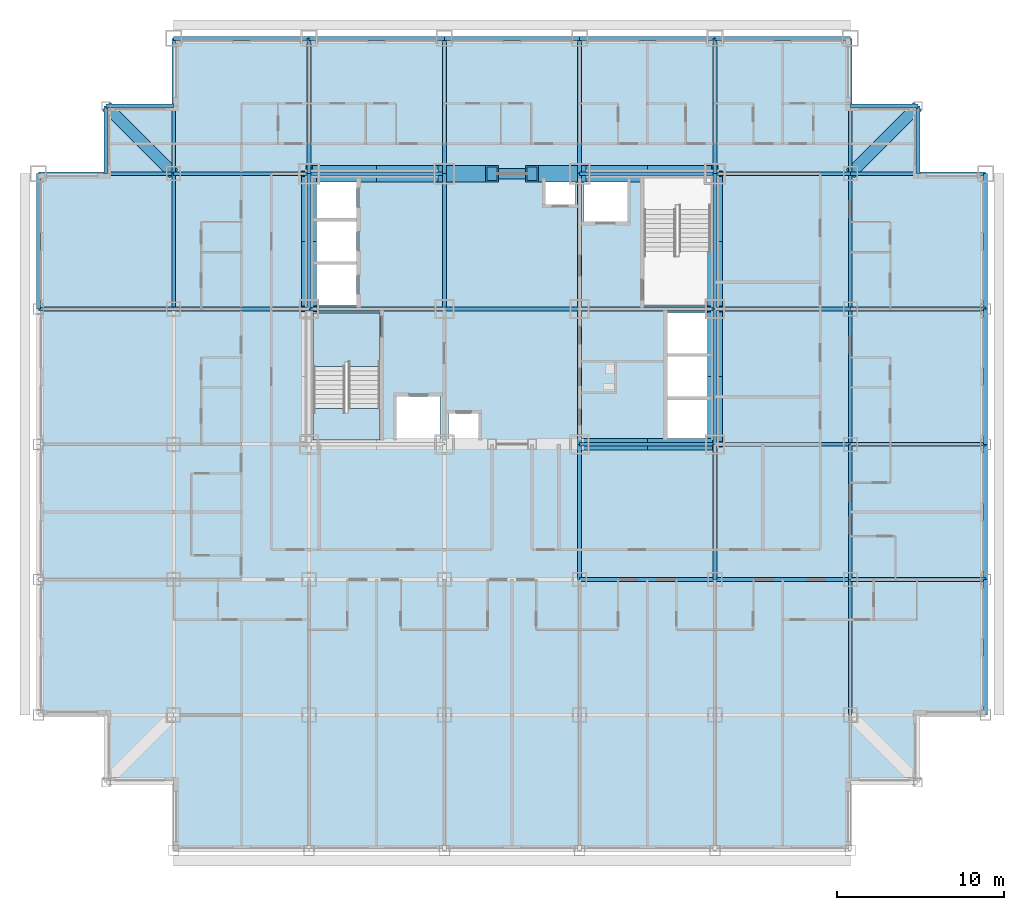
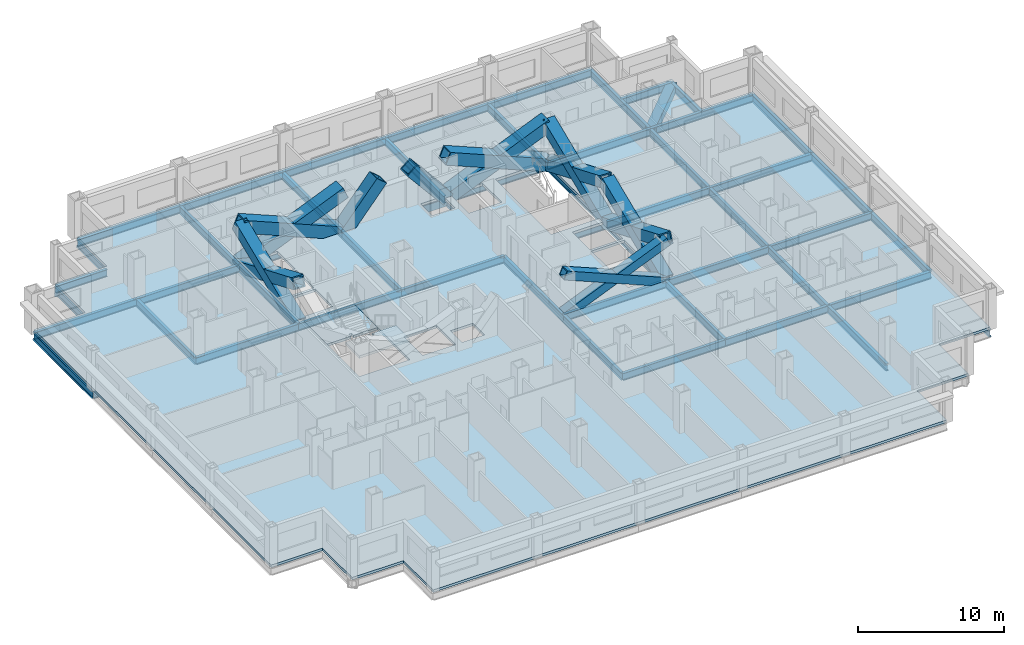
# One storey, part 2 of 12: 55 beams, 14 members, 3 slabs, 1 element without a shape of its own.
"""IFC4 building model written with IfcOpenShell, lengths in metres."""

from ifc_helpers import new_model, si_unit, direction, frame, origin, origin_2d, place, context, subcontext, project, spatial, polyline, hollow_rectangle, i_section, outline, extrude, material, layer, layer_set, material_profile, profile_set, type_object, element, aggregate, save


model = new_model("IFC4")

# Units and contexts
model_context = context("Model", 3, precision=1e-05, world=origin(), true_north=direction((0.0, 1.0)))
body_context = subcontext(model_context, "Body", "Model", "MODEL_VIEW")
ifc_project = project(units=[si_unit("LENGTHUNIT", "METRE"), si_unit("AREAUNIT", "SQUARE_METRE"), si_unit("VOLUMEUNIT", "CUBIC_METRE"), si_unit("PLANEANGLEUNIT", "RADIAN"), si_unit("MASSUNIT", "GRAM", prefix="KILO")], contexts=[model_context])

# Site, building, storey
site_placement = place(None, origin())
site = spatial("IfcSite", under=ifc_project, at=site_placement, CompositionType="ELEMENT")
building_placement = place(site_placement, origin())
building = spatial("IfcBuilding", under=site, at=building_placement, Name="Kopane Lantern Tower", CompositionType="ELEMENT")
storey_placement = place(building_placement, frame((0.0, 0.0, 77.199951171875)))
storey = spatial("IfcBuildingStorey", under=building, at=storey_placement, Name="L19", CompositionType="ELEMENT", Elevation=77.199951171875)

# Members
ifc_material_1 = material(Name="Steel S355JR", Category="steel")
ifc_material_profile_1 = material_profile(ifc_material_1, hollow_rectangle(XDim=1.0, YDim=1.0, WallThickness=0.10009765625, at=origin_2d()), Name="BOX 1000x1000x100")
ifc_profile_set_1 = profile_set([ifc_material_profile_1], Name="Steel S355JR")
member_type_1 = type_object("IfcMemberType", Name="BRACE BOX 1000x1000x100", PredefinedType="BRACE", material=ifc_profile_set_1)
for number, where, z_axis, x_axis, name in (
    (1, (16.199951171875, 40.5, -0.2099609375), (0.922069000757, 0.0, 0.387025526088), (0.0, 1.0, 0.0), "Core brace L19"),
    (2, (24.300048828125, 40.5, -0.2099609375), (-0.922069000757, 0.0, 0.387025526088), (0.0, -1.0, 0.0), "Core brace L19"),
):
    element("IfcMember", number, at=place(storey_placement, frame(where, z_axis=z_axis, x_axis=x_axis)), inside=storey, type_object=member_type_1, Name=name, PredefinedType="BRACE", context=body_context, shape_type="SweptSolid", body=[
        extrude(hollow_rectangle(XDim=1.0, YDim=1.0, WallThickness=0.10009765625, at=origin_2d()), origin(), (0.0, 0.0, 1.0), 8.78466796875),
    ])
for number, where, z_axis, x_axis, name in (
    (3, (24.300048828125, 40.5, -0.2099609375), (0.642390257445, 0.0, 0.7663776857), (0.0, 1.0, 0.0), "Core brace L19"),
    (4, (32.39990234375, 40.5, -0.2099609375), (-0.642390257445, 0.0, 0.7663776857), (0.0, -1.0, 0.0), "Core brace L19"),
):
    element("IfcMember", number, at=place(storey_placement, frame(where, z_axis=z_axis, x_axis=x_axis)), inside=storey, type_object=member_type_1, Name=name, PredefinedType="BRACE", context=body_context, shape_type="SweptSolid", body=[
        extrude(hollow_rectangle(XDim=1.0, YDim=1.0, WallThickness=0.10009765625, at=origin_2d()), origin(), (0.0, 0.0, 1.0), 4.436279296875),
    ])
for number, where, z_axis, x_axis, name in (
    (5, (32.39990234375, 40.5, -0.2099609375), (0.922069000757, 0.0, 0.387025526088), (0.0, 1.0, 0.0), "Core brace L19"),
    (6, (40.5, 40.5, -0.2099609375), (-0.922069000757, 0.0, 0.387025526088), (0.0, -1.0, 0.0), "Core brace L19"),
):
    element("IfcMember", number, at=place(storey_placement, frame(where, z_axis=z_axis, x_axis=x_axis)), inside=storey, type_object=member_type_1, Name=name, PredefinedType="BRACE", context=body_context, shape_type="SweptSolid", body=[
        extrude(hollow_rectangle(XDim=1.0, YDim=1.0, WallThickness=0.10009765625, at=origin_2d()), origin(), (0.0, 0.0, 1.0), 8.78466796875),
    ])
ifc_material_2 = material(Name="Steel S355JR", Category="steel")
ifc_material_profile_2 = material_profile(ifc_material_2, hollow_rectangle(XDim=0.699951171875, YDim=0.699951171875, WallThickness=0.06005859375, at=origin_2d()), Name="BOX 700x700x60")
ifc_profile_set_2 = profile_set([ifc_material_profile_2], Name="Steel S355JR")
member_type_2 = type_object("IfcMemberType", Name="BRACE BOX 700x700x60", PredefinedType="BRACE", material=ifc_profile_set_2)
for number, where, z_axis, x_axis, name in (
    (7, (32.39990234375, 24.300048828125, -0.2099609375), (0.922069000757, 0.0, 0.387025526088), (0.0, 1.0, 0.0), "Core brace L19"),
    (8, (40.5, 24.300048828125, -0.2099609375), (-0.922069000757, 0.0, 0.387025526088), (0.0, -1.0, 0.0), "Core brace L19"),
):
    element("IfcMember", number, at=place(storey_placement, frame(where, z_axis=z_axis, x_axis=x_axis)), inside=storey, type_object=member_type_2, Name=name, PredefinedType="BRACE", context=body_context, shape_type="SweptSolid", body=[
        extrude(hollow_rectangle(XDim=0.699951171875, YDim=0.699951171875, WallThickness=0.06005859375, at=origin_2d()), origin(), (0.0, 0.0, 1.0), 8.78466796875),
    ])
ifc_material_3 = material(Name="Steel S355JR", Category="steel")
ifc_material_profile_3 = material_profile(ifc_material_3, hollow_rectangle(XDim=0.89990234375, YDim=0.89990234375, WallThickness=0.090087890625, at=origin_2d()), Name="BOX 900x900x90")
ifc_profile_set_3 = profile_set([ifc_material_profile_3], Name="Steel S355JR")
member_type_3 = type_object("IfcMemberType", Name="BRACE BOX 900x900x90", PredefinedType="BRACE", material=ifc_profile_set_3)
for number, where, z_axis, x_axis, name in (
    (9, (16.199951171875, 32.39990234375, -0.2099609375), (0.0, 0.922069000757, 0.387025526088), (-1.0, 0.0, 0.0), "Core brace L19"),
    (10, (16.199951171875, 40.5, -0.2099609375), (0.0, -0.922069000757, 0.387025526088), (1.0, 0.0, 0.0), "Core brace L19"),
):
    element("IfcMember", number, at=place(storey_placement, frame(where, z_axis=z_axis, x_axis=x_axis)), inside=storey, type_object=member_type_3, Name=name, PredefinedType="BRACE", context=body_context, shape_type="SweptSolid", body=[
        extrude(hollow_rectangle(XDim=0.89990234375, YDim=0.89990234375, WallThickness=0.090087890625, at=origin_2d()), origin(), (0.0, 0.0, 1.0), 8.78466796875),
    ])
for number, where, z_axis, x_axis, name in (
    (11, (40.5, 24.300048828125, -0.2099609375), (0.0, 0.922064837731, 0.38703544414), (-1.0, 0.0, 0.0), "Core brace L19"),
    (12, (40.5, 32.39990234375, -0.2099609375), (0.0, -0.922064837731, 0.38703544414), (1.0, 0.0, 0.0), "Core brace L19"),
):
    element("IfcMember", number, at=place(storey_placement, frame(where, z_axis=z_axis, x_axis=x_axis)), inside=storey, type_object=member_type_3, Name=name, PredefinedType="BRACE", context=body_context, shape_type="SweptSolid", body=[
        extrude(hollow_rectangle(XDim=0.89990234375, YDim=0.89990234375, WallThickness=0.090087890625, at=origin_2d()), origin(), (0.0, 0.0, 1.0), 8.784423828125),
    ])
for number, where, z_axis, x_axis, name in (
    (13, (40.5, 32.39990234375, -0.2099609375), (0.0, 0.922069000757, 0.387025526088), (-1.0, 0.0, 0.0), "Core brace L19"),
    (14, (40.5, 40.5, -0.2099609375), (0.0, -0.922069000757, 0.387025526088), (1.0, 0.0, 0.0), "Core brace L19"),
):
    element("IfcMember", number, at=place(storey_placement, frame(where, z_axis=z_axis, x_axis=x_axis)), inside=storey, type_object=member_type_3, Name=name, PredefinedType="BRACE", context=body_context, shape_type="SweptSolid", body=[
        extrude(hollow_rectangle(XDim=0.89990234375, YDim=0.89990234375, WallThickness=0.090087890625, at=origin_2d()), origin(), (0.0, 0.0, 1.0), 8.78466796875),
    ])

# Beams
ifc_material_4 = material(Name="Steel S355JR", Category="steel")
ifc_material_profile_4 = material_profile(ifc_material_4, i_section(OverallWidth=0.22900390625, OverallDepth=0.6123046875, WebThickness=0.011962890625, FlangeThickness=0.01953125, FilletRadius=0.0126953125, at=origin_2d()), Name="UB 610x229x125")
ifc_profile_set_4 = profile_set([ifc_material_profile_4], Name="Steel S355JR")
beam_type_1 = type_object("IfcBeamType", Name="CORE BEAM UB 610x229x125", PredefinedType="BEAM", material=ifc_profile_set_4)
for number, where, z_axis, x_axis, name in (
    (15, (16.199951171875, 32.39990234375, -0.51611328125), (1.0, 0.0, 0.0), (0.0, 1.0, 0.0), "Core Beam L19"),
    (16, (24.300048828125, 32.39990234375, -0.51611328125), (0.0, 1.0, 0.0), (-1.0, 0.0, 0.0), "Core Beam L19"),
):
    element("IfcBeam", number, at=place(storey_placement, frame(where, z_axis=z_axis, x_axis=x_axis)), inside=storey, type_object=beam_type_1, Name=name, PredefinedType="BEAM", context=body_context, shape_type="SweptSolid", body=[
        extrude(i_section(OverallWidth=0.22900390625, OverallDepth=0.6123046875, WebThickness=0.011962890625, FlangeThickness=0.01953125, FilletRadius=0.0126953125, at=origin_2d()), origin(), (0.0, 0.0, 1.0), 8.10009765625),
    ])
for number, where, z_axis, x_axis, name in (
    (17, (24.300048828125, 32.39990234375, -0.51611328125), (1.0, 0.0, 0.0), (0.0, 1.0, 0.0), "Core Beam L19"),
    (18, (32.39990234375, 24.300048828125, -0.51611328125), (0.0, 1.0, 0.0), (-1.0, 0.0, 0.0), "Core Beam L19"),
):
    element("IfcBeam", number, at=place(storey_placement, frame(where, z_axis=z_axis, x_axis=x_axis)), inside=storey, type_object=beam_type_1, Name=name, PredefinedType="BEAM", context=body_context, shape_type="SweptSolid", body=[
        extrude(i_section(OverallWidth=0.22900390625, OverallDepth=0.6123046875, WebThickness=0.011962890625, FlangeThickness=0.01953125, FilletRadius=0.0126953125, at=origin_2d()), origin(), (0.0, 0.0, 1.0), 8.099853515625),
    ])
for number, where, z_axis, x_axis, name in (
    (19, (32.39990234375, 32.39990234375, -0.51611328125), (0.0, 1.0, 0.0), (-1.0, 0.0, 0.0), "Core Beam L19"),
    (20, (32.39990234375, 32.39990234375, -0.51611328125), (1.0, 0.0, 0.0), (0.0, 1.0, 0.0), "Core Beam L19"),
):
    element("IfcBeam", number, at=place(storey_placement, frame(where, z_axis=z_axis, x_axis=x_axis)), inside=storey, type_object=beam_type_1, Name=name, PredefinedType="BEAM", context=body_context, shape_type="SweptSolid", body=[
        extrude(i_section(OverallWidth=0.22900390625, OverallDepth=0.6123046875, WebThickness=0.011962890625, FlangeThickness=0.01953125, FilletRadius=0.0126953125, at=origin_2d()), origin(), (0.0, 0.0, 1.0), 8.10009765625),
    ])
ifc_material_5 = material(Name="Steel S355JR", Category="steel")
ifc_material_profile_5 = material_profile(ifc_material_5, hollow_rectangle(XDim=0.699951171875, YDim=0.699951171875, WallThickness=0.06005859375, at=origin_2d()), Name="BOX 700x700x60")
ifc_profile_set_5 = profile_set([ifc_material_profile_5], Name="Steel S355JR")
beam_type_2 = type_object("IfcBeamType", Name="CORNER TIE BEAM BOX 700x700x60", PredefinedType="BEAM", material=ifc_profile_set_5)
for number, where, z_axis, x_axis, name in (
    (21, (4.050048828125, 44.550048828125, -0.56005859375), (0.707106781187, -0.707106781187, 0.0), (0.707106781187, 0.707106781187, 0.0), "Corner Tie Beam L19"),
    (22, (52.64990234375, 44.550048828125, -0.56005859375), (-0.707085467703, -0.707128094028, 0.0), (0.707128094028, -0.707085467703, 0.0), "Corner Tie Beam L19"),
):
    element("IfcBeam", number, at=place(storey_placement, frame(where, z_axis=z_axis, x_axis=x_axis)), inside=storey, type_object=beam_type_2, Name=name, PredefinedType="BEAM", context=body_context, shape_type="SweptSolid", body=[
        extrude(hollow_rectangle(XDim=0.699951171875, YDim=0.699951171875, WallThickness=0.06005859375, at=origin_2d()), origin(), (0.0, 0.0, 1.0), 5.7275390625),
    ])
ifc_material_6 = material(Name="Steel S355JR", Category="steel")
ifc_material_profile_6 = material_profile(ifc_material_6, i_section(OverallWidth=0.22900390625, OverallDepth=0.6123046875, WebThickness=0.011962890625, FlangeThickness=0.01953125, FilletRadius=0.0126953125, at=origin_2d()), Name="UB 610x229x125")
ifc_profile_set_6 = profile_set([ifc_material_profile_6], Name="Steel S355JR")
beam_type_3 = type_object("IfcBeamType", Name="EDGE BEAM UB 610x229x125", PredefinedType="BEAM", material=ifc_profile_set_6)
for number, where, z_axis, x_axis, name in (
    (23, (4.050048828125, 44.550048828125, -0.51611328125), (0.0, -1.0, 0.0), (1.0, 0.0, 0.0), "Edge Beam L19"),
    (24, (4.050048828125, 44.550048828125, -0.51611328125), (1.0, 0.0, 0.0), (0.0, 1.0, 0.0), "Edge Beam L19"),
):
    element("IfcBeam", number, at=place(storey_placement, frame(where, z_axis=z_axis, x_axis=x_axis)), inside=storey, type_object=beam_type_3, Name=name, PredefinedType="BEAM", context=body_context, shape_type="SweptSolid", body=[
        extrude(i_section(OverallWidth=0.22900390625, OverallDepth=0.6123046875, WebThickness=0.011962890625, FlangeThickness=0.01953125, FilletRadius=0.0126953125, at=origin_2d()), origin(), (0.0, 0.0, 1.0), 4.050048828125),
    ])
beam_1_placement = place(storey_placement, frame((52.64990234375, 44.550048828125, -0.51611328125), z_axis=(-1.0, 0.0, 0.0), x_axis=(0.0, -1.0, 0.0)))
element("IfcBeam", 25, at=beam_1_placement, inside=storey, type_object=beam_type_3, Name="Edge Beam L19", PredefinedType="BEAM", context=body_context, shape_type="SweptSolid", body=[
    extrude(i_section(OverallWidth=0.22900390625, OverallDepth=0.6123046875, WebThickness=0.011962890625, FlangeThickness=0.01953125, FilletRadius=0.0126953125, at=origin_2d()), origin(), (0.0, 0.0, 1.0), 4.0498046875),
])
beam_2_placement = place(storey_placement, frame((52.64990234375, 44.550048828125, -0.51611328125), z_axis=(0.0, -1.0, 0.0), x_axis=(1.0, 0.0, 0.0)))
element("IfcBeam", 26, at=beam_2_placement, inside=storey, type_object=beam_type_3, Name="Edge Beam L19", PredefinedType="BEAM", context=body_context, shape_type="SweptSolid", body=[
    extrude(i_section(OverallWidth=0.22900390625, OverallDepth=0.6123046875, WebThickness=0.011962890625, FlangeThickness=0.01953125, FilletRadius=0.0126953125, at=origin_2d()), origin(), (0.0, 0.0, 1.0), 4.050048828125),
])
ifc_material_7 = material(Name="Steel S355JR", Category="steel")
ifc_material_profile_7 = material_profile(ifc_material_7, i_section(OverallWidth=0.22900390625, OverallDepth=0.6123046875, WebThickness=0.011962890625, FlangeThickness=0.01953125, FilletRadius=0.0126953125, at=origin_2d()), Name="UB 610x229x125")
ifc_profile_set_7 = profile_set([ifc_material_profile_7], Name="Steel S355JR")
beam_type_4 = type_object("IfcBeamType", Name="GIRDER UB 610x229x125", PredefinedType="BEAM", material=ifc_profile_set_7)
for number, where, z_axis, x_axis, name in (
    (27, (0.0, 32.39990234375, -0.51611328125), (0.0, 1.0, 0.0), (-1.0, 0.0, 0.0), "Girder L19"),
    (28, (0.0, 32.39990234375, -0.51611328125), (1.0, 0.0, 0.0), (0.0, 1.0, 0.0), "Girder L19"),
    (29, (0.0, 40.5, -0.51611328125), (1.0, 0.0, 0.0), (0.0, 1.0, 0.0), "Girder L19"),
    (30, (8.10009765625, 32.39990234375, -0.51611328125), (0.0, 1.0, 0.0), (-1.0, 0.0, 0.0), "Girder L19"),
):
    element("IfcBeam", number, at=place(storey_placement, frame(where, z_axis=z_axis, x_axis=x_axis)), inside=storey, type_object=beam_type_4, Name=name, PredefinedType="BEAM", context=body_context, shape_type="SweptSolid", body=[
        extrude(i_section(OverallWidth=0.22900390625, OverallDepth=0.6123046875, WebThickness=0.011962890625, FlangeThickness=0.01953125, FilletRadius=0.0126953125, at=origin_2d()), origin(), (0.0, 0.0, 1.0), 8.10009765625),
    ])
beam_3_placement = place(storey_placement, frame((8.10009765625, 32.39990234375, -0.51611328125), z_axis=(1.0, 0.0, 0.0), x_axis=(0.0, 1.0, 0.0)))
element("IfcBeam", 31, at=beam_3_placement, inside=storey, type_object=beam_type_4, Name="Girder L19", PredefinedType="BEAM", context=body_context, shape_type="SweptSolid", body=[
    extrude(i_section(OverallWidth=0.22900390625, OverallDepth=0.6123046875, WebThickness=0.011962890625, FlangeThickness=0.01953125, FilletRadius=0.0126953125, at=origin_2d()), origin(), (0.0, 0.0, 1.0), 8.099853515625),
])
beam_4_placement = place(storey_placement, frame((8.10009765625, 40.5, -0.51611328125), z_axis=(0.0, 1.0, 0.0), x_axis=(-1.0, 0.0, 0.0)))
element("IfcBeam", 32, at=beam_4_placement, inside=storey, type_object=beam_type_4, Name="Girder L19", PredefinedType="BEAM", context=body_context, shape_type="SweptSolid", body=[
    extrude(i_section(OverallWidth=0.22900390625, OverallDepth=0.6123046875, WebThickness=0.011962890625, FlangeThickness=0.01953125, FilletRadius=0.0126953125, at=origin_2d()), origin(), (0.0, 0.0, 1.0), 8.10009765625),
])
for number, where, z_axis, x_axis, name in (
    (33, (8.10009765625, 40.5, -0.51611328125), (1.0, 0.0, 0.0), (0.0, 1.0, 0.0), "Girder L19"),
    (34, (8.10009765625, 48.60009765625, -0.51611328125), (1.0, 0.0, 0.0), (0.0, 1.0, 0.0), "Girder L19"),
):
    element("IfcBeam", number, at=place(storey_placement, frame(where, z_axis=z_axis, x_axis=x_axis)), inside=storey, type_object=beam_type_4, Name=name, PredefinedType="BEAM", context=body_context, shape_type="SweptSolid", body=[
        extrude(i_section(OverallWidth=0.22900390625, OverallDepth=0.6123046875, WebThickness=0.011962890625, FlangeThickness=0.01953125, FilletRadius=0.0126953125, at=origin_2d()), origin(), (0.0, 0.0, 1.0), 8.099853515625),
    ])
for number, where, z_axis, x_axis, name in (
    (35, (16.199951171875, 32.39990234375, -0.51611328125), (0.0, 1.0, 0.0), (-1.0, 0.0, 0.0), "Girder L19"),
    (36, (16.199951171875, 40.5, -0.51611328125), (0.0, 1.0, 0.0), (-1.0, 0.0, 0.0), "Girder L19"),
    (37, (16.199951171875, 40.5, -0.51611328125), (1.0, 0.0, 0.0), (0.0, 1.0, 0.0), "Girder L19"),
    (38, (16.199951171875, 48.60009765625, -0.51611328125), (1.0, 0.0, 0.0), (0.0, 1.0, 0.0), "Girder L19"),
    (39, (24.300048828125, 40.5, -0.51611328125), (0.0, 1.0, 0.0), (-1.0, 0.0, 0.0), "Girder L19"),
):
    element("IfcBeam", number, at=place(storey_placement, frame(where, z_axis=z_axis, x_axis=x_axis)), inside=storey, type_object=beam_type_4, Name=name, PredefinedType="BEAM", context=body_context, shape_type="SweptSolid", body=[
        extrude(i_section(OverallWidth=0.22900390625, OverallDepth=0.6123046875, WebThickness=0.011962890625, FlangeThickness=0.01953125, FilletRadius=0.0126953125, at=origin_2d()), origin(), (0.0, 0.0, 1.0), 8.10009765625),
    ])
beam_5_placement = place(storey_placement, frame((24.300048828125, 48.60009765625, -0.51611328125), z_axis=(1.0, 0.0, 0.0), x_axis=(0.0, 1.0, 0.0)))
element("IfcBeam", 40, at=beam_5_placement, inside=storey, type_object=beam_type_4, Name="Girder L19", PredefinedType="BEAM", context=body_context, shape_type="SweptSolid", body=[
    extrude(i_section(OverallWidth=0.22900390625, OverallDepth=0.6123046875, WebThickness=0.011962890625, FlangeThickness=0.01953125, FilletRadius=0.0126953125, at=origin_2d()), origin(), (0.0, 0.0, 1.0), 8.099853515625),
])
for number, where, z_axis, x_axis, name in (
    (41, (32.39990234375, 16.199951171875, -0.51611328125), (0.0, 1.0, 0.0), (-1.0, 0.0, 0.0), "Girder L19"),
    (42, (32.39990234375, 16.199951171875, -0.51611328125), (1.0, 0.0, 0.0), (0.0, 1.0, 0.0), "Girder L19"),
    (43, (32.39990234375, 24.300048828125, -0.51611328125), (1.0, 0.0, 0.0), (0.0, 1.0, 0.0), "Girder L19"),
    (44, (32.39990234375, 40.5, -0.51611328125), (0.0, 1.0, 0.0), (-1.0, 0.0, 0.0), "Girder L19"),
    (45, (32.39990234375, 40.5, -0.51611328125), (1.0, 0.0, 0.0), (0.0, 1.0, 0.0), "Girder L19"),
    (46, (32.39990234375, 48.60009765625, -0.51611328125), (1.0, 0.0, 0.0), (0.0, 1.0, 0.0), "Girder L19"),
    (47, (40.5, 16.199951171875, -0.51611328125), (0.0, 1.0, 0.0), (-1.0, 0.0, 0.0), "Girder L19"),
    (48, (40.5, 16.199951171875, -0.51611328125), (1.0, 0.0, 0.0), (0.0, 1.0, 0.0), "Girder L19"),
):
    element("IfcBeam", number, at=place(storey_placement, frame(where, z_axis=z_axis, x_axis=x_axis)), inside=storey, type_object=beam_type_4, Name=name, PredefinedType="BEAM", context=body_context, shape_type="SweptSolid", body=[
        extrude(i_section(OverallWidth=0.22900390625, OverallDepth=0.6123046875, WebThickness=0.011962890625, FlangeThickness=0.01953125, FilletRadius=0.0126953125, at=origin_2d()), origin(), (0.0, 0.0, 1.0), 8.10009765625),
    ])
beam_6_placement = place(storey_placement, frame((40.5, 24.300048828125, -0.51611328125), z_axis=(0.0, 1.0, 0.0), x_axis=(-1.0, 0.0, 0.0)))
element("IfcBeam", 49, at=beam_6_placement, inside=storey, type_object=beam_type_4, Name="Girder L19", PredefinedType="BEAM", context=body_context, shape_type="SweptSolid", body=[
    extrude(i_section(OverallWidth=0.22900390625, OverallDepth=0.6123046875, WebThickness=0.011962890625, FlangeThickness=0.01953125, FilletRadius=0.0126953125, at=origin_2d()), origin(), (0.0, 0.0, 1.0), 8.099853515625),
])
for number, where, z_axis, x_axis, name in (
    (50, (40.5, 24.300048828125, -0.51611328125), (1.0, 0.0, 0.0), (0.0, 1.0, 0.0), "Girder L19"),
    (51, (40.5, 32.39990234375, -0.51611328125), (0.0, 1.0, 0.0), (-1.0, 0.0, 0.0), "Girder L19"),
    (52, (40.5, 32.39990234375, -0.51611328125), (1.0, 0.0, 0.0), (0.0, 1.0, 0.0), "Girder L19"),
    (53, (40.5, 40.5, -0.51611328125), (0.0, 1.0, 0.0), (-1.0, 0.0, 0.0), "Girder L19"),
    (54, (40.5, 40.5, -0.51611328125), (1.0, 0.0, 0.0), (0.0, 1.0, 0.0), "Girder L19"),
    (55, (40.5, 48.60009765625, -0.51611328125), (1.0, 0.0, 0.0), (0.0, 1.0, 0.0), "Girder L19"),
):
    element("IfcBeam", number, at=place(storey_placement, frame(where, z_axis=z_axis, x_axis=x_axis)), inside=storey, type_object=beam_type_4, Name=name, PredefinedType="BEAM", context=body_context, shape_type="SweptSolid", body=[
        extrude(i_section(OverallWidth=0.22900390625, OverallDepth=0.6123046875, WebThickness=0.011962890625, FlangeThickness=0.01953125, FilletRadius=0.0126953125, at=origin_2d()), origin(), (0.0, 0.0, 1.0), 8.10009765625),
    ])
beam_7_placement = place(storey_placement, frame((48.60009765625, 8.10009765625, -0.51611328125), z_axis=(0.0, 1.0, 0.0), x_axis=(-1.0, 0.0, 0.0)))
element("IfcBeam", 56, at=beam_7_placement, inside=storey, type_object=beam_type_4, Name="Girder L19", PredefinedType="BEAM", context=body_context, shape_type="SweptSolid", body=[
    extrude(i_section(OverallWidth=0.22900390625, OverallDepth=0.6123046875, WebThickness=0.011962890625, FlangeThickness=0.01953125, FilletRadius=0.0126953125, at=origin_2d()), origin(), (0.0, 0.0, 1.0), 8.099853515625),
])
beam_8_placement = place(storey_placement, frame((48.60009765625, 16.199951171875, -0.51611328125), z_axis=(0.0, 1.0, 0.0), x_axis=(-1.0, 0.0, 0.0)))
element("IfcBeam", 57, at=beam_8_placement, inside=storey, type_object=beam_type_4, Name="Girder L19", PredefinedType="BEAM", context=body_context, shape_type="SweptSolid", body=[
    extrude(i_section(OverallWidth=0.22900390625, OverallDepth=0.6123046875, WebThickness=0.011962890625, FlangeThickness=0.01953125, FilletRadius=0.0126953125, at=origin_2d()), origin(), (0.0, 0.0, 1.0), 8.10009765625),
])
for number, where, z_axis, x_axis, name in (
    (58, (48.60009765625, 16.199951171875, -0.51611328125), (1.0, 0.0, 0.0), (0.0, 1.0, 0.0), "Girder L19"),
    (59, (48.60009765625, 24.300048828125, -0.51611328125), (0.0, 1.0, 0.0), (-1.0, 0.0, 0.0), "Girder L19"),
    (60, (48.60009765625, 24.300048828125, -0.51611328125), (1.0, 0.0, 0.0), (0.0, 1.0, 0.0), "Girder L19"),
):
    element("IfcBeam", number, at=place(storey_placement, frame(where, z_axis=z_axis, x_axis=x_axis)), inside=storey, type_object=beam_type_4, Name=name, PredefinedType="BEAM", context=body_context, shape_type="SweptSolid", body=[
        extrude(i_section(OverallWidth=0.22900390625, OverallDepth=0.6123046875, WebThickness=0.011962890625, FlangeThickness=0.01953125, FilletRadius=0.0126953125, at=origin_2d()), origin(), (0.0, 0.0, 1.0), 8.099853515625),
    ])
beam_9_placement = place(storey_placement, frame((48.60009765625, 32.39990234375, -0.51611328125), z_axis=(0.0, 1.0, 0.0), x_axis=(-1.0, 0.0, 0.0)))
element("IfcBeam", 61, at=beam_9_placement, inside=storey, type_object=beam_type_4, Name="Girder L19", PredefinedType="BEAM", context=body_context, shape_type="SweptSolid", body=[
    extrude(i_section(OverallWidth=0.22900390625, OverallDepth=0.6123046875, WebThickness=0.011962890625, FlangeThickness=0.01953125, FilletRadius=0.0126953125, at=origin_2d()), origin(), (0.0, 0.0, 1.0), 8.10009765625),
])
beam_10_placement = place(storey_placement, frame((48.60009765625, 32.39990234375, -0.51611328125), z_axis=(1.0, 0.0, 0.0), x_axis=(0.0, 1.0, 0.0)))
element("IfcBeam", 62, at=beam_10_placement, inside=storey, type_object=beam_type_4, Name="Girder L19", PredefinedType="BEAM", context=body_context, shape_type="SweptSolid", body=[
    extrude(i_section(OverallWidth=0.22900390625, OverallDepth=0.6123046875, WebThickness=0.011962890625, FlangeThickness=0.01953125, FilletRadius=0.0126953125, at=origin_2d()), origin(), (0.0, 0.0, 1.0), 8.099853515625),
])
beam_11_placement = place(storey_placement, frame((48.60009765625, 40.5, -0.51611328125), z_axis=(0.0, 1.0, 0.0), x_axis=(-1.0, 0.0, 0.0)))
element("IfcBeam", 63, at=beam_11_placement, inside=storey, type_object=beam_type_4, Name="Girder L19", PredefinedType="BEAM", context=body_context, shape_type="SweptSolid", body=[
    extrude(i_section(OverallWidth=0.22900390625, OverallDepth=0.6123046875, WebThickness=0.011962890625, FlangeThickness=0.01953125, FilletRadius=0.0126953125, at=origin_2d()), origin(), (0.0, 0.0, 1.0), 8.10009765625),
])
for number, where, z_axis, x_axis, name in (
    (64, (48.60009765625, 40.5, -0.51611328125), (1.0, 0.0, 0.0), (0.0, 1.0, 0.0), "Girder L19"),
    (65, (56.699951171875, 8.10009765625, -0.51611328125), (0.0, 1.0, 0.0), (-1.0, 0.0, 0.0), "Girder L19"),
):
    element("IfcBeam", number, at=place(storey_placement, frame(where, z_axis=z_axis, x_axis=x_axis)), inside=storey, type_object=beam_type_4, Name=name, PredefinedType="BEAM", context=body_context, shape_type="SweptSolid", body=[
        extrude(i_section(OverallWidth=0.22900390625, OverallDepth=0.6123046875, WebThickness=0.011962890625, FlangeThickness=0.01953125, FilletRadius=0.0126953125, at=origin_2d()), origin(), (0.0, 0.0, 1.0), 8.099853515625),
    ])
beam_12_placement = place(storey_placement, frame((56.699951171875, 16.199951171875, -0.51611328125), z_axis=(0.0, 1.0, 0.0), x_axis=(-1.0, 0.0, 0.0)))
element("IfcBeam", 66, at=beam_12_placement, inside=storey, type_object=beam_type_4, Name="Girder L19", PredefinedType="BEAM", context=body_context, shape_type="SweptSolid", body=[
    extrude(i_section(OverallWidth=0.22900390625, OverallDepth=0.6123046875, WebThickness=0.011962890625, FlangeThickness=0.01953125, FilletRadius=0.0126953125, at=origin_2d()), origin(), (0.0, 0.0, 1.0), 8.10009765625),
])
beam_13_placement = place(storey_placement, frame((56.699951171875, 24.300048828125, -0.51611328125), z_axis=(0.0, 1.0, 0.0), x_axis=(-1.0, 0.0, 0.0)))
element("IfcBeam", 67, at=beam_13_placement, inside=storey, type_object=beam_type_4, Name="Girder L19", PredefinedType="BEAM", context=body_context, shape_type="SweptSolid", body=[
    extrude(i_section(OverallWidth=0.22900390625, OverallDepth=0.6123046875, WebThickness=0.011962890625, FlangeThickness=0.01953125, FilletRadius=0.0126953125, at=origin_2d()), origin(), (0.0, 0.0, 1.0), 8.099853515625),
])
beam_14_placement = place(storey_placement, frame((56.699951171875, 32.39990234375, -0.51611328125), z_axis=(0.0, 1.0, 0.0), x_axis=(-1.0, 0.0, 0.0)))
element("IfcBeam", 68, at=beam_14_placement, inside=storey, type_object=beam_type_4, Name="Girder L19", PredefinedType="BEAM", context=body_context, shape_type="SweptSolid", body=[
    extrude(i_section(OverallWidth=0.22900390625, OverallDepth=0.6123046875, WebThickness=0.011962890625, FlangeThickness=0.01953125, FilletRadius=0.0126953125, at=origin_2d()), origin(), (0.0, 0.0, 1.0), 8.10009765625),
])
ifc_material_8 = material(Name="Steel S355JR", Category="steel")
ifc_material_profile_8 = material_profile(ifc_material_8, hollow_rectangle(XDim=0.64990234375, YDim=0.64990234375, WallThickness=0.070068359375, at=origin_2d()), Name="BOX 650x650x70")
ifc_profile_set_8 = profile_set([ifc_material_profile_8], Name="Steel S355JR")
beam_type_5 = type_object("IfcBeamType", Name="LINK BEAM BOX 650x650x70", PredefinedType="BEAM", material=ifc_profile_set_8)
beam_15_placement = place(storey_placement, frame((24.300048828125, 40.5, -0.534912109375), z_axis=(1.0, 0.0, 0.0), x_axis=(0.0, 1.0, 0.0)))
element("IfcBeam", 69, at=beam_15_placement, inside=storey, type_object=beam_type_5, Name="Link Beam L19", PredefinedType="BEAM", context=body_context, shape_type="SweptSolid", body=[
    extrude(hollow_rectangle(XDim=0.64990234375, YDim=0.64990234375, WallThickness=0.070068359375, at=origin_2d()), origin(), (0.0, 0.0, 1.0), 8.099853515625),
])

# Slab
ifc_material_9 = material(Name="Concrete C40/50", Category="concrete")
ifc_layer_1 = layer(ifc_material_9, 0.2099609375)
ifc_layer_set_1 = layer_set([ifc_layer_1], Name="SLAB 210 COMPOSITE")
slab_type_1 = type_object("IfcSlabType", Name="SLAB 210 COMPOSITE", PredefinedType="FLOOR", material=ifc_layer_set_1)
slab_1_placement = place(storey_placement, frame((0.0, 0.0, -0.2099609375)))
element("IfcSlab", 70, at=slab_1_placement, inside=storey, type_object=slab_type_1, Name="Floor slab L19", PredefinedType="FLOOR", context=body_context, shape_type="SweptSolid", body=[
    extrude(outline(polyline([(8.10009765625, 0.0), (48.60009765625, 0.0), (48.60009765625, 4.050048828125), (52.64990234375, 4.050048828125), (52.64990234375, 8.10009765625), (56.699951171875, 8.10009765625), (56.699951171875, 40.5), (52.64990234375, 40.5), (52.64990234375, 44.550048828125), (48.60009765625, 44.550048828125), (48.60009765625, 48.60009765625), (8.10009765625, 48.60009765625), (8.10009765625, 44.550048828125), (4.050048828125, 44.550048828125), (4.050048828125, 40.5), (0.0, 40.5), (0.0, 8.10009765625), (4.050048828125, 8.10009765625), (4.050048828125, 4.050048828125), (8.10009765625, 4.050048828125), (8.10009765625, 0.0)]), holes=[polyline([(16.449951171875, 24.550048828125), (20.449951171875, 24.550048828125), (20.449951171875, 32.14990234375), (16.449951171875, 32.14990234375), (16.449951171875, 24.550048828125)]), polyline([(36.25, 32.64990234375), (40.25, 32.64990234375), (40.25, 40.25), (36.25, 40.25), (36.25, 32.64990234375)]), polyline([(16.449951171875, 32.64990234375), (19.050048828125, 32.64990234375), (19.050048828125, 35.050048828125), (16.449951171875, 35.050048828125), (16.449951171875, 32.64990234375)]), polyline([(16.449951171875, 35.25), (19.050048828125, 35.25), (19.050048828125, 37.64990234375), (16.449951171875, 37.64990234375), (16.449951171875, 35.25)]), polyline([(16.449951171875, 37.85009765625), (19.050048828125, 37.85009765625), (19.050048828125, 40.25), (16.449951171875, 40.25), (16.449951171875, 37.85009765625)]), polyline([(37.64990234375, 24.550048828125), (40.25, 24.550048828125), (40.25, 26.949951171875), (37.64990234375, 26.949951171875), (37.64990234375, 24.550048828125)]), polyline([(37.64990234375, 27.14990234375), (40.25, 27.14990234375), (40.25, 29.550048828125), (37.64990234375, 29.550048828125), (37.64990234375, 27.14990234375)]), polyline([(37.64990234375, 29.75), (40.25, 29.75), (40.25, 32.14990234375), (37.64990234375, 32.14990234375), (37.64990234375, 29.75)]), polyline([(21.449951171875, 24.550048828125), (24.050048828125, 24.550048828125), (24.050048828125, 27.14990234375), (21.449951171875, 27.14990234375), (21.449951171875, 24.550048828125)]), polyline([(32.64990234375, 37.64990234375), (35.25, 37.64990234375), (35.25, 40.25), (32.64990234375, 40.25), (32.64990234375, 37.64990234375)]), polyline([(24.550048828125, 24.550048828125), (26.35009765625, 24.550048828125), (26.35009765625, 26.14990234375), (24.550048828125, 26.14990234375), (24.550048828125, 24.550048828125)]), polyline([(30.35009765625, 38.64990234375), (32.14990234375, 38.64990234375), (32.14990234375, 40.25), (30.35009765625, 40.25), (30.35009765625, 38.64990234375)])]), origin(), (0.0, 0.0, 1.0), 0.2099609375),
])

# Stair, slabs
ifc_material_10 = material(Name="Steel S355JR", Category="steel")
stair_type = type_object("IfcStairType", Name="EXIT STAIR 1900 HALF TURN", PredefinedType="HALF_TURN_STAIR", material=ifc_material_10)
stair_placement = place(storey_placement, origin())
stair = element("IfcStair", 71, at=stair_placement, inside=storey, type_object=stair_type, Name="Exit stair ST1 L19", PredefinedType="HALF_TURN_STAIR")
ifc_material_11 = material(Name="Concrete C40/50", Category="concrete")
ifc_layer_2 = layer(ifc_material_11, 0.199951171875)
ifc_layer_set_2 = layer_set([ifc_layer_2], Name="STAIR LANDING 200")
slab_type_2 = type_object("IfcSlabType", Name="STAIR LANDING 200", PredefinedType="LANDING", material=ifc_layer_set_2)
slab_2_placement = place(storey_placement, frame((0.0, 0.0, -0.199951171875)))
slab_2 = element("IfcSlab", 72, at=slab_2_placement, type_object=slab_type_2, Name="ST1 landing 1", PredefinedType="LANDING", context=body_context, shape_type="SweptSolid", body=[
    extrude(outline(polyline([(18.35009765625, 29.25), (18.550048828125, 29.25), (18.550048828125, 28.969970703125), (20.449951171875, 28.969970703125), (20.449951171875, 32.14990234375), (16.449951171875, 32.14990234375), (16.449951171875, 28.969970703125), (18.35009765625, 28.969970703125), (18.35009765625, 29.25)])), origin(), (0.0, 0.0, 1.0), 0.199951171875),
])
slab_3_placement = place(storey_placement, frame((0.0, 0.0, 1.5)))
slab_3 = element("IfcSlab", 73, at=slab_3_placement, type_object=slab_type_2, Name="ST1 landing 2", PredefinedType="LANDING", context=body_context, shape_type="SweptSolid", body=[
    extrude(outline(polyline([(20.449951171875, 26.449951171875), (18.550048828125, 26.449951171875), (18.550048828125, 26.169921875), (18.35009765625, 26.169921875), (18.35009765625, 26.449951171875), (16.449951171875, 26.449951171875), (16.449951171875, 24.550048828125), (20.449951171875, 24.550048828125), (20.449951171875, 26.449951171875)])), origin(), (0.0, 0.0, 1.0), 0.199951171875),
])
aggregate(stair, [slab_2, slab_3])

save(model, "model.ifc")
